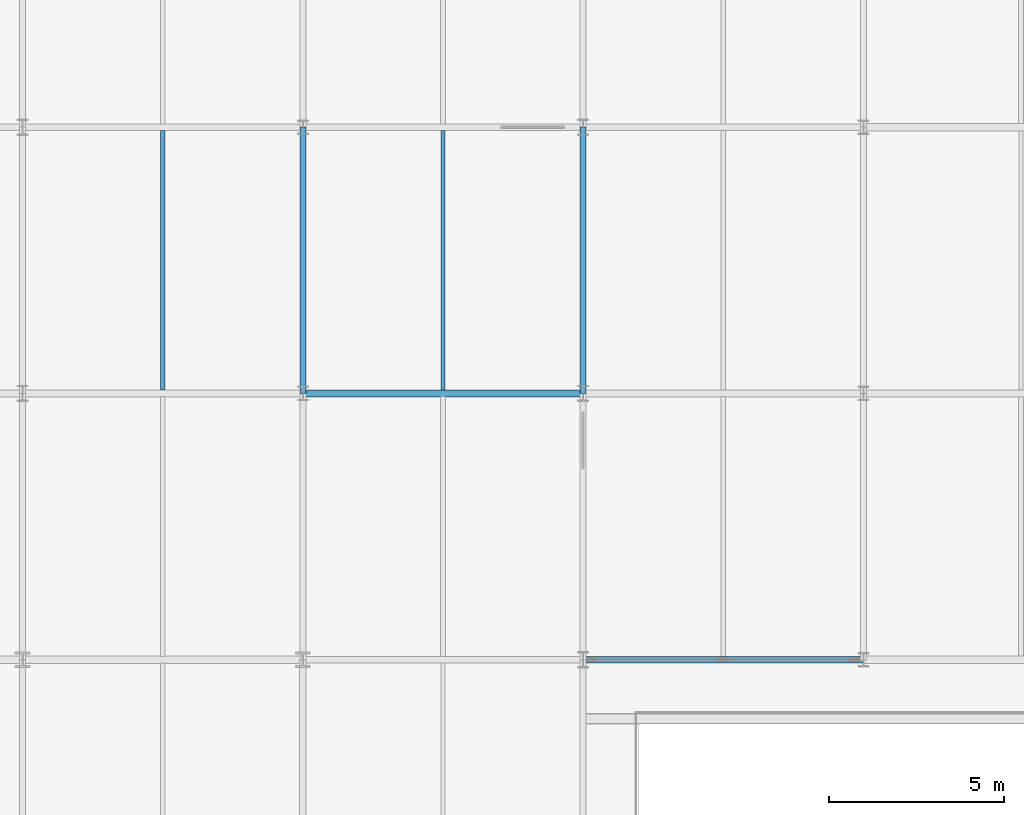
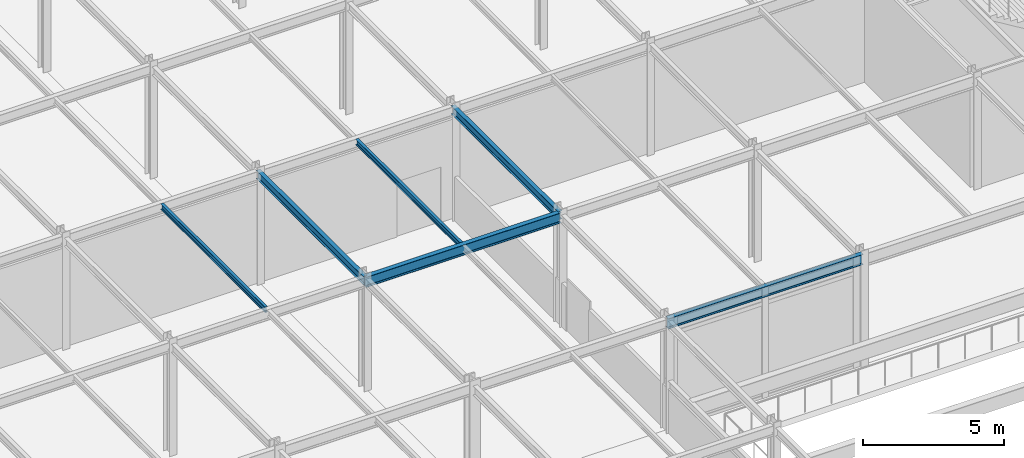
# One storey, part 33 of 113: 6 beams.
"""IFC4 building model written with IfcOpenShell, lengths in metres."""

import ifcopenshell
import ifcopenshell.guid

model = None  # the IFC model being written
_history = None  # IfcOwnerHistory: only IFC2X3 demands one
_inside = {}  # id of a spatial element -> (the spatial element, [elements in it])
_under = {}  # id of a project, library or spatial element -> (it, [spatial elements below it])
_declared = {}  # id of a project -> (the project, [libraries it declares])
_typed = {}  # id of a type object -> (the type object, [elements of that type])
_made_of = {}  # id of a material, layer set ... -> (it, [elements and type objects made of it])


def new_model(schema):
    """Start an empty IFC model of exactly this schema.

    Asked for "IFC4X3", IfcOpenShell would pick the latest addendum, in which some entities
    have other attributes; the version numbers below select the first issue.
    IFC2X3 requires an IfcOwnerHistory on every rooted entity: one is made here for all.
    """
    global model, _history
    if schema == "IFC4X3":
        model = ifcopenshell.file(schema_version=(4, 3, 0, 0))
    else:
        model = ifcopenshell.file(schema=schema)
    _inside.clear()
    _under.clear()
    _declared.clear()
    _typed.clear()
    _made_of.clear()
    _history = None
    if model.schema == "IFC2X3":
        org = make("IfcOrganization", Name="unknown")
        user = make(
            "IfcPersonAndOrganization",
            ThePerson=make("IfcPerson", FamilyName="unknown"),
            TheOrganization=org,
        )
        app = make(
            "IfcApplication",
            ApplicationDeveloper=org,
            Version="unknown",
            ApplicationFullName="unknown",
            ApplicationIdentifier="unknown",
        )
        _history = make(
            "IfcOwnerHistory",
            OwningUser=user,
            OwningApplication=app,
            ChangeAction="ADDED",
            CreationDate=0,
        )
    return model


def make(cls, **values):
    """One entity of the class cls with the attributes given. An attribute that is None is left unset."""
    return model.create_entity(
        cls, **{name: value for name, value in values.items() if value is not None}
    )


def rooted(cls, **values):
    """An entity with a GlobalId (a new one), such as an element, a storey or a relation."""
    return make(cls, GlobalId=ifcopenshell.guid.new(), OwnerHistory=_history, **values)


def si_unit(unit_type, name, prefix=None):
    """IfcSIUnit, for example si_unit("LENGTHUNIT", "METRE", prefix="MILLI")."""
    return make("IfcSIUnit", UnitType=unit_type, Prefix=prefix, Name=name)


def assignment(units):
    """IfcUnitAssignment: the units of a project."""
    return None if units is None else make("IfcUnitAssignment", Units=units)


def point(xyz):
    """IfcCartesianPoint."""
    return None if xyz is None else make("IfcCartesianPoint", Coordinates=xyz)


def direction(xyz):
    """IfcDirection."""
    return None if xyz is None else make("IfcDirection", DirectionRatios=xyz)


def frame(location, z_axis=None, x_axis=None):
    """IfcAxis2Placement3D, a coordinate frame: its origin and axes. An axis left out is left unset."""
    return make(
        "IfcAxis2Placement3D",
        Location=point(location),
        Axis=direction(z_axis),
        RefDirection=direction(x_axis),
    )


def frame_2d(location, x_axis=None):
    """IfcAxis2Placement2D, a coordinate frame in the plane: its origin and x axis."""
    return make(
        "IfcAxis2Placement2D", Location=point(location), RefDirection=direction(x_axis)
    )


def origin():
    """The frame at (0, 0, 0) with its axes left unset."""
    return frame((0.0, 0.0, 0.0))


def origin_2d():
    """The frame at (0, 0) in the plane with its x axis left unset."""
    return frame_2d((0.0, 0.0))


def place(relative_to, where):
    """IfcLocalPlacement: puts the frame where relative to a parent placement (None: the world)."""
    return make(
        "IfcLocalPlacement", PlacementRelTo=relative_to, RelativePlacement=where
    )


def context(
    kind, dimensions, precision=None, world=None, true_north=None, identifier=None
):
    """IfcGeometricRepresentationContext, for example the 3D "Model" context."""
    return make(
        "IfcGeometricRepresentationContext",
        ContextIdentifier=identifier,
        ContextType=kind,
        CoordinateSpaceDimension=dimensions,
        Precision=precision,
        WorldCoordinateSystem=world,
        TrueNorth=true_north,
    )


def subcontext(parent, identifier, kind, view, scale=None):
    """IfcGeometricRepresentationSubContext, for example "Body" below "Model"."""
    return make(
        "IfcGeometricRepresentationSubContext",
        ContextIdentifier=identifier,
        ContextType=kind,
        ParentContext=parent,
        TargetScale=scale,
        TargetView=view,
    )


def project(units=None, contexts=None):
    """IfcProject with its units and contexts."""
    return rooted(
        "IfcProject",
        Name="project",
        RepresentationContexts=contexts,
        UnitsInContext=assignment(units),
    )


def spatial(cls, under=None, at=None, **own):
    """A site, building, storey or space (cls), placed at a placement, below another one or the project."""
    s = rooted(cls, ObjectPlacement=at, **own)
    if under is not None:
        _under.setdefault(under.id(), (under, []))[1].append(s)
    return s


def profile(cls, at=None, kind="AREA", **sizes):
    """A parametric profile (cls). Its sizes go by their IFC names, for example OverallWidth=200.0."""
    return make(cls, ProfileType=kind, Position=at, **sizes)


def i_section(**sizes):
    """IfcIShapeProfileDef."""
    return profile("IfcIShapeProfileDef", **sizes)


def extrude(swept, where, along, depth):
    """IfcExtrudedAreaSolid: the profile swept, set in the frame where, extruded along a direction by depth."""
    return make(
        "IfcExtrudedAreaSolid",
        SweptArea=swept,
        Position=where,
        ExtrudedDirection=direction(along),
        Depth=depth,
    )


def shape(context_of_items, identifier, shape_type, items):
    """IfcShapeRepresentation: the items that make up one representation, for example the "Body"."""
    return make(
        "IfcShapeRepresentation",
        ContextOfItems=context_of_items,
        RepresentationIdentifier=identifier,
        RepresentationType=shape_type,
        Items=items,
    )


def material(Name=None, Category=None):
    """IfcMaterial."""
    return make("IfcMaterial", Name=Name, Category=Category)


def material_profile(
    of_material, cross_section, Name=None, Category=None, Priority=None
):
    """IfcMaterialProfile: a cross section and its material."""
    return make(
        "IfcMaterialProfile",
        Name=Name,
        Material=of_material,
        Profile=cross_section,
        Priority=Priority,
        Category=Category,
    )


def profile_set(profiles, Name=None, composite=None):
    """IfcMaterialProfileSet."""
    return make(
        "IfcMaterialProfileSet",
        Name=Name,
        MaterialProfiles=profiles,
        CompositeProfile=composite,
    )


def made_of(thing, what):
    """Note that an element or type object is made of a material, layer set ...; save() writes the relation."""
    if what is not None:
        _made_of.setdefault(what.id(), (what, []))[1].append(thing)
    return thing


def type_object(cls, material=None, **own):
    """A type object (cls), such as IfcWallType, which elements share."""
    return made_of(rooted(cls, **own), material)


def element(
    cls,
    number,
    at=None,
    inside=None,
    cuts=None,
    type_object=None,
    material=None,
    context=None,
    identifier="Body",
    shape_type=None,
    held_by="IfcProductDefinitionShape",
    body=None,
    shapes=None,
    **own,
):
    """One element of the class cls, such as IfcWall. Its Tag is "e" and its number.

    at: its placement. inside: the storey or other place that contains it. cuts: it is an
    opening in that element (IfcRelVoidsElement). A single representation is given by context,
    identifier, shape_type and body (its items); several are given by shapes. held_by: the class
    of the entity that holds the representations. save() writes the other relations.
    """
    e = rooted(cls, Tag="e%d" % number, ObjectPlacement=at, **own)
    if body is not None:
        shapes = [shape(context, identifier, shape_type, body)]
    if shapes is not None:
        e.Representation = make(held_by, Representations=shapes)
    if inside is not None:
        _inside.setdefault(inside.id(), (inside, []))[1].append(e)
    if cuts is not None:
        rooted(
            "IfcRelVoidsElement", RelatingBuildingElement=cuts, RelatedOpeningElement=e
        )
    if type_object is not None:
        _typed.setdefault(type_object.id(), (type_object, []))[1].append(e)
    return made_of(e, material)


def aggregate(whole, parts):
    """IfcRelAggregates: a whole, such as a stair, and the parts it consists of."""
    return rooted("IfcRelAggregates", RelatingObject=whole, RelatedObjects=parts)


def save(model, path):
    """Write the relations noted so far, then the file.

    IfcRelAggregates (storeys below a building ...), IfcRelContainedInSpatialStructure (elements
    in a storey), IfcRelDefinesByType, IfcRelAssociatesMaterial and IfcRelDeclares: one each for
    every whole, place, type object, material and project.
    """
    for whole, parts in _under.values():
        aggregate(whole, parts)
    for where, things in _inside.values():
        rooted(
            "IfcRelContainedInSpatialStructure",
            RelatedElements=things,
            RelatingStructure=where,
        )
    for kind, things in _typed.values():
        rooted("IfcRelDefinesByType", RelatedObjects=things, RelatingType=kind)
    for what, things in _made_of.values():
        rooted("IfcRelAssociatesMaterial", RelatedObjects=things, RelatingMaterial=what)
    for by, libraries in _declared.values():
        rooted("IfcRelDeclares", RelatingContext=by, RelatedDefinitions=libraries)
    model.write(path)


model = new_model("IFC4")

# Units and contexts
model_context = context("Model", 3, precision=1e-05, world=origin(), true_north=direction((0.0, 1.0)))
body_context = subcontext(model_context, "Body", "Model", "MODEL_VIEW")
ifc_project = project(units=[si_unit("LENGTHUNIT", "METRE"), si_unit("AREAUNIT", "SQUARE_METRE"), si_unit("VOLUMEUNIT", "CUBIC_METRE"), si_unit("PLANEANGLEUNIT", "RADIAN"), si_unit("MASSUNIT", "GRAM", prefix="KILO")], contexts=[model_context])

# Site, building, storey
site_placement = place(None, origin())
site = spatial("IfcSite", under=ifc_project, at=site_placement, CompositionType="ELEMENT")
building_placement = place(site_placement, origin())
building = spatial("IfcBuilding", under=site, at=building_placement, Name="Shalkamar Park Central Library", CompositionType="ELEMENT")
storey_placement = place(building_placement, frame((0.0, 0.0, 5.39990234375)))
storey = spatial("IfcBuildingStorey", under=building, at=storey_placement, Name="L02", CompositionType="ELEMENT", Elevation=5.39990234375)

# Beams
ifc_material = material(Name="Steel S355", Category="steel")
ifc_material_profile_1 = material_profile(ifc_material, i_section(OverallWidth=0.1201171875, OverallDepth=0.239990234375, WebThickness=0.006103515625, FlangeThickness=0.009765625, FilletRadius=0.014892578125, at=origin_2d()), Name="IPE 240")
ifc_profile_set_1 = profile_set([ifc_material_profile_1], Name="Steel S355")
beam_type_1 = type_object("IfcBeamType", Name="Composite Floor Joist IPE240", PredefinedType="JOIST", material=ifc_profile_set_1)
for number, where, z_axis, x_axis, name in (
    (1, (217.0, 300.89306640625, 4.739990234375), (0.0, 1.0, 0.0), (-1.0, 0.0, 0.0), "Composite Joist 13/J-1 (L02)"),
    (2, (225.0, 300.89306640625, 4.739990234375), (0.0, 1.0, 0.0), (-1.0, 0.0, 0.0), "Composite Joist 14/J-1 (L02)"),
):
    element("IfcBeam", number, at=place(storey_placement, frame(where, z_axis=z_axis, x_axis=x_axis)), inside=storey, type_object=beam_type_1, Name=name, PredefinedType="JOIST", context=body_context, shape_type="SweptSolid", body=[
        extrude(i_section(OverallWidth=0.1201171875, OverallDepth=0.239990234375, WebThickness=0.006103515625, FlangeThickness=0.009765625, FilletRadius=0.014892578125, at=origin_2d()), origin(), (0.0, 0.0, 1.0), 7.413818359375),
    ])
ifc_material_profile_2 = material_profile(ifc_material, i_section(OverallWidth=0.169921875, OverallDepth=0.360107421875, WebThickness=0.008056640625, FlangeThickness=0.0126953125, FilletRadius=0.01806640625, at=origin_2d()), Name="IPE 360")
ifc_profile_set_2 = profile_set([ifc_material_profile_2], Name="Steel S355")
beam_type_2 = type_object("IfcBeamType", Name="Primary Girder IPE360", PredefinedType="BEAM", material=ifc_profile_set_2)
for number, where, z_axis, x_axis, name in (
    (3, (221.0, 300.800048828125, 4.68017578125), (0.0, 1.0, 0.0), (-1.0, 0.0, 0.0), "Beam 14:J-K (L02)"),
    (4, (229.0, 300.800048828125, 4.68017578125), (0.0, 1.0, 0.0), (-1.0, 0.0, 0.0), "Beam 15:J-K (L02)"),
):
    element("IfcBeam", number, at=place(storey_placement, frame(where, z_axis=z_axis, x_axis=x_axis)), inside=storey, type_object=beam_type_2, Name=name, PredefinedType="BEAM", context=body_context, shape_type="SweptSolid", body=[
        extrude(i_section(OverallWidth=0.169921875, OverallDepth=0.360107421875, WebThickness=0.008056640625, FlangeThickness=0.0126953125, FilletRadius=0.01806640625, at=origin_2d()), origin(), (0.0, 0.0, 1.0), 7.599853515625),
    ])
ifc_material_profile_3 = material_profile(ifc_material, i_section(OverallWidth=0.18994140625, OverallDepth=0.449951171875, WebThickness=0.009521484375, FlangeThickness=0.0146484375, FilletRadius=0.02099609375, at=origin_2d()), Name="IPE 450")
ifc_profile_set_3 = profile_set([ifc_material_profile_3], Name="Steel S355")
beam_type_3 = type_object("IfcBeamType", Name="Primary Girder IPE450", PredefinedType="BEAM", material=ifc_profile_set_3)
for number, where, z_axis, x_axis, name in (
    (5, (229.0, 293.199951171875, 4.635009765625), (1.0, 0.0, 0.0), (0.0, 1.0, 0.0), "Beam H:15-16 (L02)"),
    (6, (221.0, 300.800048828125, 4.635009765625), (1.0, 0.0, 0.0), (0.0, 1.0, 0.0), "Beam J:14-15 (L02)"),
):
    element("IfcBeam", number, at=place(storey_placement, frame(where, z_axis=z_axis, x_axis=x_axis)), inside=storey, type_object=beam_type_3, Name=name, PredefinedType="BEAM", context=body_context, shape_type="SweptSolid", body=[
        extrude(i_section(OverallWidth=0.18994140625, OverallDepth=0.449951171875, WebThickness=0.009521484375, FlangeThickness=0.0146484375, FilletRadius=0.02099609375, at=origin_2d()), origin(), (0.0, 0.0, 1.0), 8.0),
    ])

save(model, "model.ifc")
